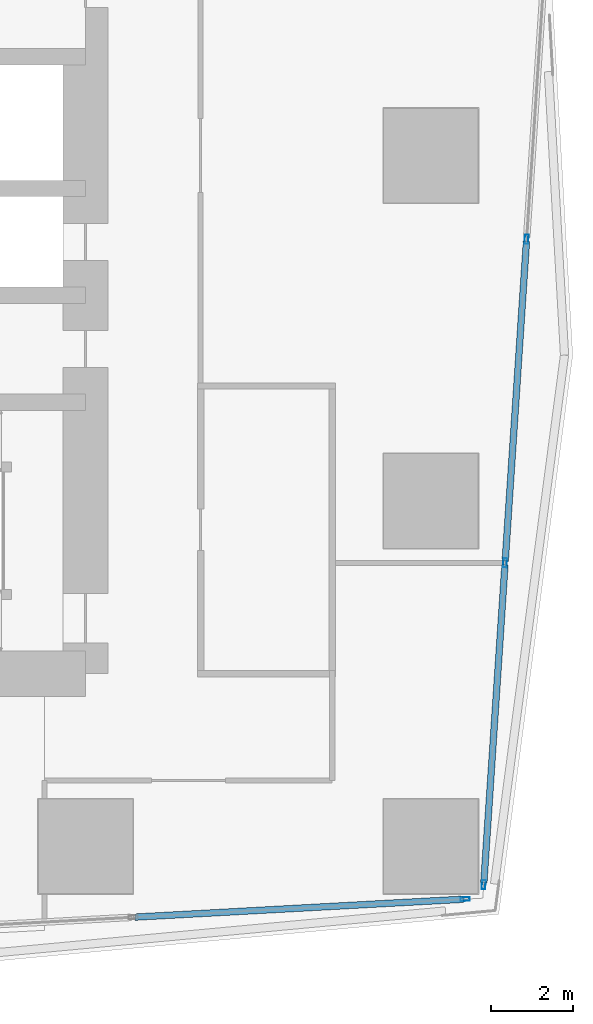
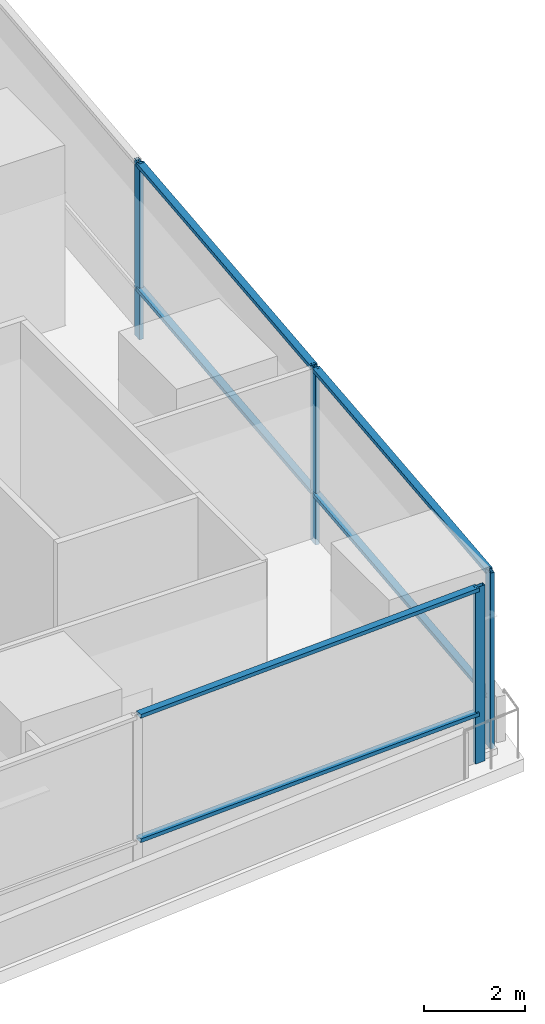
# One storey, part 6 of 39: 10 members, 2 elements without a shape of their own.
"""IFC4 building model written with IfcOpenShell, lengths in metres."""

from ifc_helpers import new_model, si_unit, direction, frame, origin, origin_2d, place, context, subcontext, project, spatial, hollow_rectangle, extrude, material, material_profile, profile_set, type_object, element, aggregate, save


model = new_model("IFC4")

# Units and contexts
model_context = context("Model", 3, precision=1e-05, world=origin(), true_north=direction((0.0, 1.0)))
body_context = subcontext(model_context, "Body", "Model", "MODEL_VIEW")
ifc_project = project(units=[si_unit("LENGTHUNIT", "METRE"), si_unit("AREAUNIT", "SQUARE_METRE"), si_unit("VOLUMEUNIT", "CUBIC_METRE"), si_unit("PLANEANGLEUNIT", "RADIAN"), si_unit("MASSUNIT", "GRAM", prefix="KILO")], contexts=[model_context])

# Site, building, storey
site_placement = place(None, origin())
site = spatial("IfcSite", under=ifc_project, at=site_placement, CompositionType="ELEMENT")
building_placement = place(site_placement, origin())
building = spatial("IfcBuilding", under=site, at=building_placement, Name="Rekha Terrace Tower", CompositionType="ELEMENT")
storey_placement = place(building_placement, frame((0.0, 0.0, 245.60009765625)))
storey = spatial("IfcBuildingStorey", under=building, at=storey_placement, Name="L62", CompositionType="ELEMENT", Elevation=245.60009765625)

# Curtain wall, member
ifc_material_1 = material(Name="Aluminium framing", Category="aluminium")
curtain_wall_type = type_object("IfcCurtainWallType", Name="CW5 sky garden glazing", PredefinedType="USERDEFINED", material=ifc_material_1)
curtain_wall_1_placement = place(storey_placement, origin())
curtain_wall_1 = element("IfcCurtainWall", 1, at=curtain_wall_1_placement, inside=storey, type_object=curtain_wall_type, Name="CW5 sky garden curtain wall", ObjectType="SKY GARDEN CURTAIN WALL", PredefinedType="USERDEFINED")
ifc_material_2 = material(Name="Aluminium mullion section", Category="aluminium")
ifc_material_profile_1 = material_profile(ifc_material_2, hollow_rectangle(XDim=0.090087890625, YDim=0.219970703125, WallThickness=0.00390625, at=origin_2d()), Name="AL RHS 90x220")
ifc_profile_set_1 = profile_set([ifc_material_profile_1], Name="Aluminium mullion section")
member_type_1 = type_object("IfcMemberType", Name="CW5 mullion RHS 90 x 220", PredefinedType="MULLION", material=ifc_profile_set_1)
member_1_placement = place(storey_placement, frame((59.63232421875, 15.5166015625, 0.0), z_axis=(0.0, 0.0, 1.0), x_axis=(-0.054388903071, 0.998519828157, 0.0)))
member_1 = element("IfcMember", 2, at=member_1_placement, type_object=member_type_1, Name="CW5 mullion 5", PredefinedType="MULLION", context=body_context, shape_type="SweptSolid", body=[
    extrude(hollow_rectangle(XDim=0.090087890625, YDim=0.219970703125, WallThickness=0.00390625, at=origin_2d()), origin(), (0.0, 0.0, 1.0), 4.25),
])

# Curtain wall, members
curtain_wall_2_placement = place(storey_placement, origin())
curtain_wall_2 = element("IfcCurtainWall", 3, at=curtain_wall_2_placement, inside=storey, type_object=curtain_wall_type, Name="CW5 sky garden curtain wall", ObjectType="SKY GARDEN CURTAIN WALL", PredefinedType="USERDEFINED")
member_2_placement = place(storey_placement, frame((60.083984375, 15.868896484375, 0.0), z_axis=(0.0, 0.0, 1.0), x_axis=(-0.997801621769, 0.066271589649, 0.0)))
member_2 = element("IfcMember", 4, at=member_2_placement, type_object=member_type_1, Name="CW5 mullion 1", PredefinedType="MULLION", context=body_context, shape_type="SweptSolid", body=[
    extrude(hollow_rectangle(XDim=0.090087890625, YDim=0.219970703125, WallThickness=0.00390625, at=origin_2d()), origin(), (0.0, 0.0, 1.0), 4.25),
])
member_3_placement = place(storey_placement, frame((60.603759765625, 23.69384765625, 0.0), z_axis=(0.0, 0.0, 1.0), x_axis=(-0.997801621769, 0.066271589649, 0.0)))
member_3 = element("IfcMember", 5, at=member_3_placement, type_object=member_type_1, Name="CW5 mullion 2", PredefinedType="MULLION", context=body_context, shape_type="SweptSolid", body=[
    extrude(hollow_rectangle(XDim=0.090087890625, YDim=0.219970703125, WallThickness=0.00390625, at=origin_2d()), origin(), (0.0, 0.0, 1.0), 4.25),
])
member_4_placement = place(storey_placement, frame((61.12646484375, 31.56396484375, 0.0), z_axis=(0.0, 0.0, 1.0), x_axis=(-0.997801621769, 0.066271589649, 0.0)))
member_4 = element("IfcMember", 6, at=member_4_placement, type_object=member_type_1, Name="CW5 mullion 3", PredefinedType="MULLION", context=body_context, shape_type="SweptSolid", body=[
    extrude(hollow_rectangle(XDim=0.090087890625, YDim=0.219970703125, WallThickness=0.00390625, at=origin_2d()), origin(), (0.0, 0.0, 1.0), 4.25),
])

# Member
ifc_material_3 = material(Name="Aluminium transom section", Category="aluminium")
ifc_material_profile_2 = material_profile(ifc_material_3, hollow_rectangle(XDim=0.159912109375, YDim=0.090087890625, WallThickness=0.0029296875, at=origin_2d()), Name="AL RHS 160x90")
ifc_profile_set_2 = profile_set([ifc_material_profile_2], Name="Aluminium transom section")
member_type_2 = type_object("IfcMemberType", Name="CW5 transom RHS 90 x 160", PredefinedType="USERDEFINED", material=ifc_profile_set_2)
member_5_placement = place(storey_placement, frame((51.604736328125, 15.079345703125, 1.199951171875), z_axis=(0.998519811796, 0.054389203438, 0.0), x_axis=(-0.054389203438, 0.998519811796, 0.0)))
member_5 = element("IfcMember", 7, at=member_5_placement, type_object=member_type_2, Name="CW5 transom 4.2", ObjectType="TRANSOM", PredefinedType="USERDEFINED", context=body_context, shape_type="SweptSolid", body=[
    extrude(hollow_rectangle(XDim=0.159912109375, YDim=0.090087890625, WallThickness=0.0029296875, at=origin_2d()), origin(), (0.0, 0.0, 1.0), 7.994384765625),
])

member_6_placement = place(storey_placement, frame((51.604736328125, 15.079345703125, 4.204833984375), z_axis=(0.998519811796, 0.054389203438, 0.0), x_axis=(-0.054389203438, 0.998519811796, 0.0)))
member_6 = element("IfcMember", 8, at=member_6_placement, type_object=member_type_2, Name="CW5 transom 4.3", ObjectType="TRANSOM", PredefinedType="USERDEFINED", context=body_context, shape_type="SweptSolid", body=[
    extrude(hollow_rectangle(XDim=0.159912109375, YDim=0.090087890625, WallThickness=0.0029296875, at=origin_2d()), origin(), (0.0, 0.0, 1.0), 7.994384765625),
])

aggregate(curtain_wall_1, [member_1, member_5, member_6])

member_7_placement = place(storey_placement, frame((60.0869140625, 15.913818359375, 1.199951171875), z_axis=(0.06629326085, 0.997800182184, 0.0), x_axis=(-0.997800182184, 0.06629326085, 0.0)))
member_7 = element("IfcMember", 9, at=member_7_placement, type_object=member_type_2, Name="CW5 transom 1.2", ObjectType="TRANSOM", PredefinedType="USERDEFINED", context=body_context, shape_type="SweptSolid", body=[
    extrude(hollow_rectangle(XDim=0.159912109375, YDim=0.090087890625, WallThickness=0.0029296875, at=origin_2d()), origin(), (0.0, 0.0, 1.0), 7.752197265625),
])

member_8_placement = place(storey_placement, frame((60.0869140625, 15.913818359375, 4.204833984375), z_axis=(0.06629326085, 0.997800182184, 0.0), x_axis=(-0.997800182184, 0.06629326085, 0.0)))
member_8 = element("IfcMember", 10, at=member_8_placement, type_object=member_type_2, Name="CW5 transom 1.3", ObjectType="TRANSOM", PredefinedType="USERDEFINED", context=body_context, shape_type="SweptSolid", body=[
    extrude(hollow_rectangle(XDim=0.159912109375, YDim=0.090087890625, WallThickness=0.0029296875, at=origin_2d()), origin(), (0.0, 0.0, 1.0), 7.752197265625),
])

member_9_placement = place(storey_placement, frame((60.606689453125, 23.73876953125, 1.199951171875), z_axis=(0.066284180456, 0.997800785438, 0.0), x_axis=(-0.997800785438, 0.066284180456, 0.0)))
member_9 = element("IfcMember", 11, at=member_9_placement, type_object=member_type_2, Name="CW5 transom 2.2", ObjectType="TRANSOM", PredefinedType="USERDEFINED", context=body_context, shape_type="SweptSolid", body=[
    extrude(hollow_rectangle(XDim=0.159912109375, YDim=0.090087890625, WallThickness=0.0029296875, at=origin_2d()), origin(), (0.0, 0.0, 1.0), 7.79736328125),
])

member_10_placement = place(storey_placement, frame((60.606689453125, 23.73876953125, 4.204833984375), z_axis=(0.066284180456, 0.997800785438, 0.0), x_axis=(-0.997800785438, 0.066284180456, 0.0)))
member_10 = element("IfcMember", 12, at=member_10_placement, type_object=member_type_2, Name="CW5 transom 2.3", ObjectType="TRANSOM", PredefinedType="USERDEFINED", context=body_context, shape_type="SweptSolid", body=[
    extrude(hollow_rectangle(XDim=0.159912109375, YDim=0.090087890625, WallThickness=0.0029296875, at=origin_2d()), origin(), (0.0, 0.0, 1.0), 7.79736328125),
])

aggregate(curtain_wall_2, [member_2, member_3, member_4, member_7, member_8, member_9, member_10])

save(model, "model.ifc")
